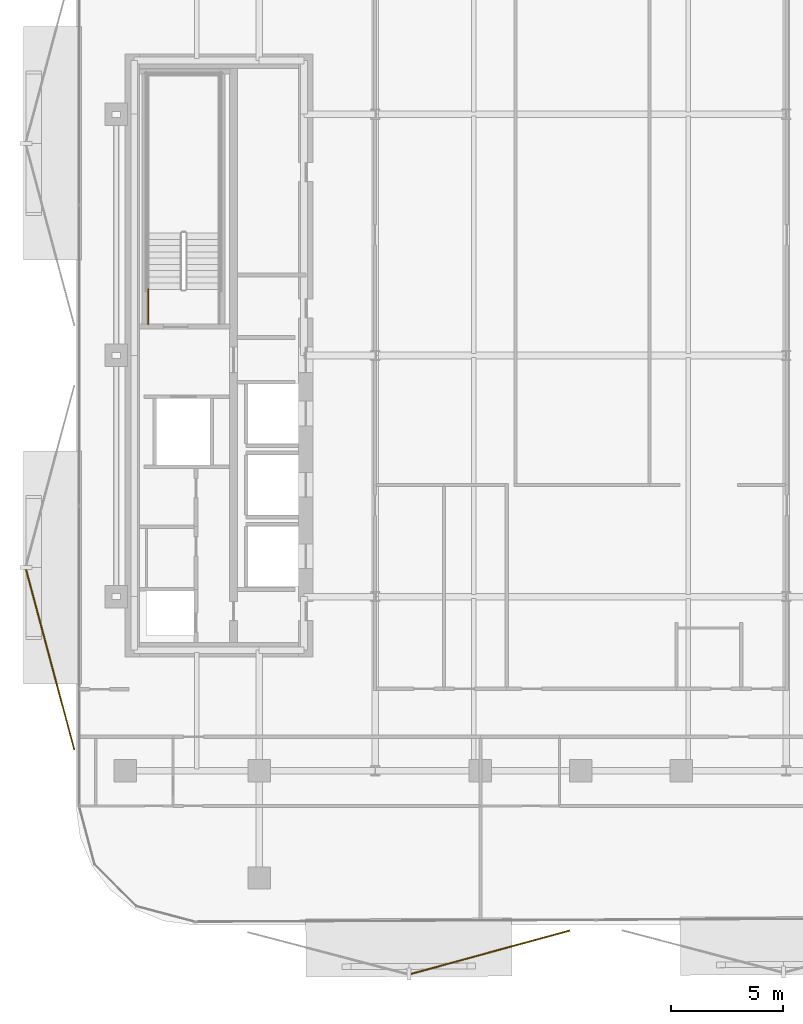
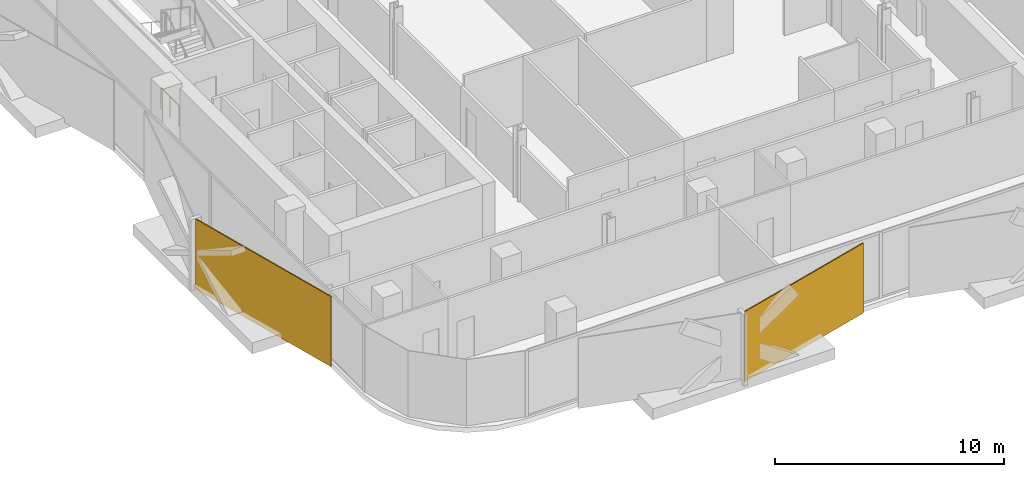
# One storey, part 12 of 16: 2 coverings, 1 railing.
"""IFC4 building model written with IfcOpenShell, lengths in metres."""

from ifc_helpers import new_model, si_unit, direction, frame, origin, origin_2d, place, context, subcontext, project, spatial, rectangle, circle, extrude, material, layer, layer_set, type_object, element, save


model = new_model("IFC4")

# Units and contexts
model_context = context("Model", 3, precision=1e-05, world=origin(), true_north=direction((0.0, 1.0)))
body_context = subcontext(model_context, "Body", "Model", "MODEL_VIEW")
ifc_project = project(units=[si_unit("LENGTHUNIT", "METRE"), si_unit("AREAUNIT", "SQUARE_METRE"), si_unit("VOLUMEUNIT", "CUBIC_METRE"), si_unit("PLANEANGLEUNIT", "RADIAN"), si_unit("MASSUNIT", "GRAM", prefix="KILO")], contexts=[model_context])

# Site, building, storey
site_placement = place(None, origin())
site = spatial("IfcSite", under=ifc_project, at=site_placement, CompositionType="ELEMENT")
building_placement = place(site_placement, origin())
building = spatial("IfcBuilding", under=site, at=building_placement, Name="Khairoan Windgate Tower", CompositionType="ELEMENT")
storey_placement = place(building_placement, frame((0.0, 0.0, 187.800048828125)))
storey = spatial("IfcBuildingStorey", under=building, at=storey_placement, Name="L43", CompositionType="ELEMENT", Elevation=187.800048828125)

# Coverings
ifc_material_1 = material(Name="Anodised Bronze Aluminium 6063-T6", Category="aluminium")
ifc_layer = layer(ifc_material_1, 0.054931640625, Name="Anodised Bronze Aluminium 6063-T6")
ifc_layer_set = layer_set([ifc_layer], Name="Anodised Bronze Aluminium 6063-T6")
covering_type = type_object("IfcCoveringType", Name="Perforated Bronze-Ceramic Folded Solar Screen Cladding BSC-1", PredefinedType="CLADDING", material=ifc_layer_set)
covering_1_placement = place(storey_placement, frame((-4.050048828125, -26.72021484375, -0.10009765625), z_axis=(0.0, 0.0, 1.0), x_axis=(-0.964649468762, -0.263536339841, 0.0)))
element("IfcCovering", 1, at=covering_1_placement, inside=storey, type_object=covering_type, Name="L43 Folded Bronze Solar Screen Facet 282L", PredefinedType="CLADDING", context=body_context, shape_type="SweptSolid", body=[
    extrude(rectangle(XDim=7.3759765625, YDim=0.054931640625, at=origin_2d()), origin(), (0.0, 0.0, 1.0), 3.739990234375),
])
covering_2_placement = place(storey_placement, frame((-23.7587890625, -13.62109375, -0.10009765625), z_axis=(0.0, 0.0, 1.0), x_axis=(-0.258819045103, 0.965925826289, 0.0)))
element("IfcCovering", 2, at=covering_2_placement, inside=storey, type_object=covering_type, Name="L43 Folded Bronze Solar Screen Facet 283L", PredefinedType="CLADDING", context=body_context, shape_type="SweptSolid", body=[
    extrude(rectangle(XDim=8.35595703125, YDim=0.054931640625, at=origin_2d()), origin(), (0.0, 0.0, 1.0), 3.739990234375),
])

# Railing
ifc_material_2 = material(Name="Steel S355", Category="steel")
railing_type = type_object("IfcRailingType", Name="Stairwell Safety Guardrail SGR-1150", PredefinedType="GUARDRAIL", material=ifc_material_2)
railing_placement = place(storey_placement, frame((-19.3701171875, 1.39990234375, 0.0)))
element("IfcRailing", 3, at=railing_placement, inside=storey, type_object=railing_type, Name="L43 ST2 stair guard 9", PredefinedType="GUARDRAIL", context=body_context, shape_type="SweptSolid", body=[
    extrude(circle(Radius=0.02392578125, at=origin_2d()), frame((0.0, 0.0, 1.1259765625), z_axis=(0.0, 1.0, 0.0), x_axis=(-1.0, 0.0, 0.0)), (0.0, 0.0, 1.0), 1.56005859375),
    extrude(circle(Radius=0.02099609375, at=origin_2d()), origin(), (0.0, 0.0, 1.0), 1.101806640625),
    extrude(circle(Radius=0.02099609375, at=origin_2d()), frame((0.0, 0.780029296875, 0.0)), (0.0, 0.0, 1.0), 1.101806640625),
    extrude(circle(Radius=0.02099609375, at=origin_2d()), frame((0.0, 1.56005859375, 0.0)), (0.0, 0.0, 1.0), 1.101806640625),
])

save(model, "model.ifc")
